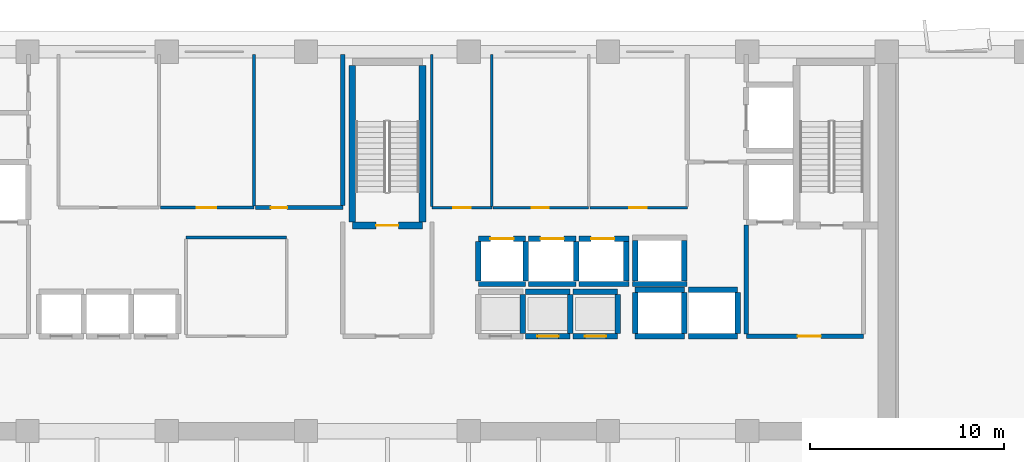
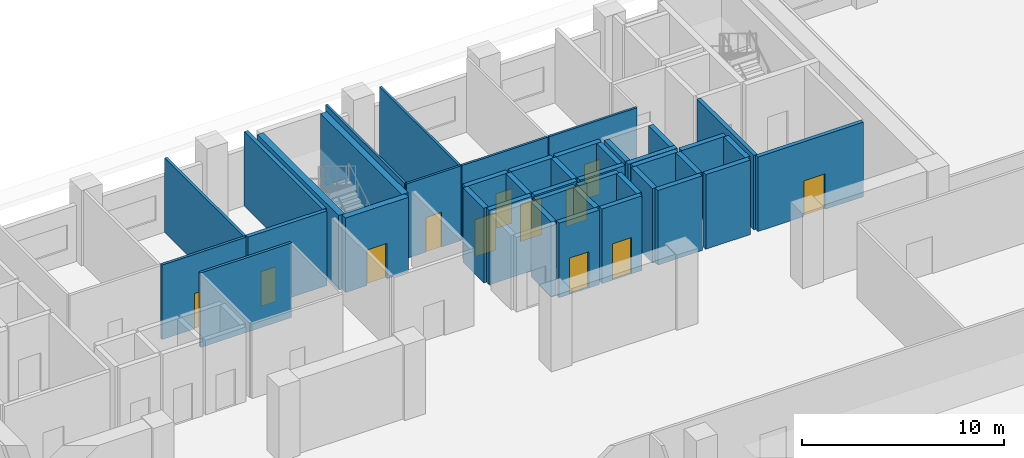
# One storey, part 30 of 37: 42 walls, 12 doors, 12 openings.
"""IFC4 building model written with IfcOpenShell, lengths in metres."""

from ifc_helpers import new_model, si_unit, direction, frame, frame_2d, origin, place, context, subcontext, project, spatial, rectangle, extrude, material, layer, layer_set, type_object, element, fill, save


model = new_model("IFC4")

# Units and contexts
model_context = context("Model", 3, precision=1e-05, world=origin(), true_north=direction((0.0, 1.0)))
body_context = subcontext(model_context, "Body", "Model", "MODEL_VIEW")
ifc_project = project(units=[si_unit("LENGTHUNIT", "METRE"), si_unit("AREAUNIT", "SQUARE_METRE"), si_unit("VOLUMEUNIT", "CUBIC_METRE"), si_unit("PLANEANGLEUNIT", "RADIAN"), si_unit("MASSUNIT", "GRAM", prefix="KILO")], contexts=[model_context])

# Site, building, storey
site_placement = place(None, origin())
site = spatial("IfcSite", under=ifc_project, at=site_placement, CompositionType="ELEMENT")
building_placement = place(site_placement, origin())
building = spatial("IfcBuilding", under=site, at=building_placement, Name="Kaelvorn Grand Hotel", CompositionType="ELEMENT")
storey_placement = place(building_placement, frame((0.0, 0.0, 130.550048828125)))
storey = spatial("IfcBuildingStorey", under=building, at=storey_placement, Name="L31", CompositionType="ELEMENT", Elevation=130.550048828125)

# Wall, opening, door
ifc_material_1 = material(Name="Moisture-Resistant Tile & Stud Board")
ifc_layer_1 = layer(ifc_material_1, 0.125)
ifc_layer_set_1 = layer_set([ifc_layer_1], Name="Moisture-Resistant Tile & Stud Board")
wall_type_1 = type_object("IfcWallType", Name="WL-PART-125-WET", PredefinedType="PARTITIONING", material=ifc_layer_set_1)
wall_1_placement = place(storey_placement, frame((44.300048828125, 40.949951171875, 0.0), z_axis=(0.0, 0.0, 1.0), x_axis=(1.0, 0.0, 0.0)))
wall_1 = element("IfcWall", 1, at=wall_1_placement, inside=storey, type_object=wall_type_1, Name="L31 Accessible WC S Partition", PredefinedType="PARTITIONING", context=body_context, shape_type="SweptSolid", body=[
    extrude(rectangle(XDim=3.099853515625, YDim=0.125, at=frame_2d((1.5498046875, 0.0))), origin(), (0.0, 0.0, 1.0), 4.52001953125),
])
opening_1_placement = place(wall_1_placement, frame((1.10009765625, 0.0, 0.0)))
opening_1 = element("IfcOpeningElement", 2, at=opening_1_placement, cuts=wall_1, Name="Opening DI4", PredefinedType="OPENING", context=body_context, shape_type="SweptSolid", body=[
    extrude(rectangle(XDim=0.89990234375, YDim=2.10009765625, at=frame_2d((0.449951171875, 1.050048828125))), frame((0.0, 0.072509765625, 0.0), z_axis=(0.0, -1.0, 0.0), x_axis=(1.0, 0.0, 0.0)), (0.0, 0.0, 1.0), 0.14501953125),
])
ifc_material_2 = material(Name="Timber Veneer Leaf", Category="wood")
door_type_1 = type_object("IfcDoorType", Name="DR-INT-BATH-900x2100", OperationType="NOTDEFINED", PredefinedType="DOOR", material=ifc_material_2)
door_1_placement = place(opening_1_placement, origin())
door_1 = element("IfcDoor", 3, at=door_1_placement, inside=storey, type_object=door_type_1, Name="L31 Accessible WC Door", OperationType="SINGLE_SWING_RIGHT", OverallHeight=2.10009765625, OverallWidth=0.89990234375, PredefinedType="DOOR", context=body_context, shape_type="SweptSolid", body=[
    extrude(rectangle(XDim=0.89990234375, YDim=2.10009765625, at=frame_2d((0.449951171875, 1.050048828125))), frame((0.0, 0.02490234375, 0.0), z_axis=(0.0, -1.0, 0.0), x_axis=(1.0, 0.0, 0.0)), (0.0, 0.0, 1.0), 0.050048828125),
])
fill(opening_1, door_1)

# Walls
for number, where, z_axis, x_axis, name in (
    (4, (44.300048828125, 41.017578125, 0.0), (0.0, 0.0, 1.0), (0.0, 1.0, 0.0), "L31 Accessible WC W Partition"),
    (5, (47.39990234375, 41.017578125, 0.0), (0.0, 0.0, 1.0), (0.0, 1.0, 0.0), "L31 Accessible WC E Partition"),
):
    element("IfcWall", number, at=place(storey_placement, frame(where, z_axis=z_axis, x_axis=x_axis)), inside=storey, type_object=wall_type_1, Name=name, PredefinedType="PARTITIONING", context=body_context, shape_type="SweptSolid", body=[
        extrude(rectangle(XDim=7.83251953125, YDim=0.125, at=frame_2d((3.916259765625, 0.0))), origin(), (0.0, 0.0, 1.0), 4.52001953125),
    ])

# Wall, opening, door
wall_2_placement = place(storey_placement, frame((47.467529296875, 40.949951171875, 0.0), z_axis=(0.0, 0.0, 1.0), x_axis=(1.0, 0.0, 0.0)))
wall_2 = element("IfcWall", 6, at=wall_2_placement, inside=storey, type_object=wall_type_1, Name="L31 Male Staff & Guest Toilets S Partition", PredefinedType="PARTITIONING", context=body_context, shape_type="SweptSolid", body=[
    extrude(rectangle(XDim=4.932373046875, YDim=0.125, at=frame_2d((2.46630859375, 0.0))), origin(), (0.0, 0.0, 1.0), 4.52001953125),
])
opening_2_placement = place(wall_2_placement, frame((1.982421875, 0.0, 0.0)))
opening_2 = element("IfcOpeningElement", 7, at=opening_2_placement, cuts=wall_2, Name="Opening DI4", PredefinedType="OPENING", context=body_context, shape_type="SweptSolid", body=[
    extrude(rectangle(XDim=0.89990234375, YDim=2.10009765625, at=frame_2d((0.449951171875, 1.050048828125))), frame((0.0, 0.072509765625, 0.0), z_axis=(0.0, -1.0, 0.0), x_axis=(1.0, 0.0, 0.0)), (0.0, 0.0, 1.0), 0.14501953125),
])
door_2_placement = place(opening_2_placement, origin())
door_2 = element("IfcDoor", 8, at=door_2_placement, inside=storey, type_object=door_type_1, Name="L31 Male Staff & Guest Toilets Door", OperationType="SINGLE_SWING_LEFT", OverallHeight=2.10009765625, OverallWidth=0.89990234375, PredefinedType="DOOR", context=body_context, shape_type="SweptSolid", body=[
    extrude(rectangle(XDim=0.89990234375, YDim=2.10009765625, at=frame_2d((0.449951171875, 1.050048828125))), frame((0.0, 0.02490234375, 0.0), z_axis=(0.0, -1.0, 0.0), x_axis=(1.0, 0.0, 0.0)), (0.0, 0.0, 1.0), 0.050048828125),
])
fill(opening_2, door_2)

wall_3_placement = place(storey_placement, frame((52.467529296875, 40.949951171875, 0.0), z_axis=(0.0, 0.0, 1.0), x_axis=(1.0, 0.0, 0.0)))
wall_3 = element("IfcWall", 9, at=wall_3_placement, inside=storey, type_object=wall_type_1, Name="L31 Female Staff & Guest Toilets S Partition", PredefinedType="PARTITIONING", context=body_context, shape_type="SweptSolid", body=[
    extrude(rectangle(XDim=5.032470703125, YDim=0.125, at=frame_2d((2.51611328125, 0.0))), origin(), (0.0, 0.0, 1.0), 4.52001953125),
])
opening_3_placement = place(wall_3_placement, frame((2.032470703125, 0.0, 0.0)))
opening_3 = element("IfcOpeningElement", 10, at=opening_3_placement, cuts=wall_3, Name="Opening DI4", PredefinedType="OPENING", context=body_context, shape_type="SweptSolid", body=[
    extrude(rectangle(XDim=0.89990234375, YDim=2.10009765625, at=frame_2d((0.449951171875, 1.050048828125))), frame((0.0, 0.072509765625, 0.0), z_axis=(0.0, -1.0, 0.0), x_axis=(1.0, 0.0, 0.0)), (0.0, 0.0, 1.0), 0.14501953125),
])
door_3_placement = place(opening_3_placement, origin())
door_3 = element("IfcDoor", 11, at=door_3_placement, inside=storey, type_object=door_type_1, Name="L31 Female Staff & Guest Toilets Door", OperationType="SINGLE_SWING_RIGHT", OverallHeight=2.10009765625, OverallWidth=0.89990234375, PredefinedType="DOOR", context=body_context, shape_type="SweptSolid", body=[
    extrude(rectangle(XDim=0.89990234375, YDim=2.10009765625, at=frame_2d((0.449951171875, 1.050048828125))), frame((0.0, 0.02490234375, 0.0), z_axis=(0.0, -1.0, 0.0), x_axis=(1.0, 0.0, 0.0)), (0.0, 0.0, 1.0), 0.050048828125),
])
fill(opening_3, door_3)

# Wall
ifc_material_3 = material(Name="Acoustic Gypsum & Stud Partition")
ifc_layer_2 = layer(ifc_material_3, 0.14990234375)
ifc_layer_set_2 = layer_set([ifc_layer_2], Name="Acoustic Gypsum & Stud Partition")
wall_type_2 = type_object("IfcWallType", Name="WL-PART-150-EI60", PredefinedType="PARTITIONING", material=ifc_layer_set_2)
wall_4_placement = place(storey_placement, frame((31.60009765625, 39.39990234375, 0.0), z_axis=(0.0, 0.0, 1.0), x_axis=(1.0, 0.0, 0.0)))
element("IfcWall", 12, at=wall_4_placement, inside=storey, type_object=wall_type_2, Name="L31 Core Telecoms & BMS Server Room N Partition", PredefinedType="PARTITIONING", context=body_context, shape_type="SweptSolid", body=[
    extrude(rectangle(XDim=5.199951171875, YDim=0.14990234375, at=frame_2d((2.60009765625, 0.0))), origin(), (0.0, 0.0, 1.0), 4.52001953125),
])

# Wall, opening, door
wall_5_placement = place(storey_placement, frame((30.280029296875, 40.949951171875, 0.0), z_axis=(0.0, 0.0, 1.0), x_axis=(1.0, 0.0, 0.0)))
wall_5 = element("IfcWall", 13, at=wall_5_placement, inside=storey, type_object=wall_type_2, Name="L31 Room Service Servery Pantry S Partition", PredefinedType="PARTITIONING", context=body_context, shape_type="SweptSolid", body=[
    extrude(rectangle(XDim=4.820068359375, YDim=0.14990234375, at=frame_2d((2.41015625, 0.0))), origin(), (0.0, 0.0, 1.0), 4.52001953125),
])
opening_4_placement = place(wall_5_placement, frame((1.8701171875, 0.0, 0.0)))
opening_4 = element("IfcOpeningElement", 14, at=opening_4_placement, cuts=wall_5, Name="Opening DI3", PredefinedType="OPENING", context=body_context, shape_type="SweptSolid", body=[
    extrude(rectangle(XDim=1.0, YDim=2.14990234375, at=frame_2d((0.5, 1.074951171875))), frame((0.0, 0.0849609375, 0.0), z_axis=(0.0, -1.0, 0.0), x_axis=(1.0, 0.0, 0.0)), (0.0, 0.0, 1.0), 0.169921875),
])
ifc_material_4 = material(Name="Timber Veneer Fire Leaf", Category="wood")
door_type_2 = type_object("IfcDoorType", Name="DR-INT-GUEST-1000x2150", OperationType="NOTDEFINED", PredefinedType="DOOR", material=ifc_material_4)
door_4_placement = place(opening_4_placement, origin())
door_4 = element("IfcDoor", 15, at=door_4_placement, inside=storey, type_object=door_type_2, Name="L31 Room Service Servery Pantry Door", OperationType="SINGLE_SWING_RIGHT", OverallHeight=2.14990234375, OverallWidth=1.0, PredefinedType="DOOR", context=body_context, shape_type="SweptSolid", body=[
    extrude(rectangle(XDim=1.0, YDim=2.14990234375, at=frame_2d((0.5, 1.074951171875))), frame((0.0, 0.02490234375, 0.0), z_axis=(0.0, -1.0, 0.0), x_axis=(1.0, 0.0, 0.0)), (0.0, 0.0, 1.0), 0.050048828125),
])
fill(opening_4, door_4)

# Wall
wall_6_placement = place(storey_placement, frame((35.10009765625, 41.030029296875, 0.0), z_axis=(0.0, 0.0, 1.0), x_axis=(0.0, 1.0, 0.0)))
element("IfcWall", 16, at=wall_6_placement, inside=storey, type_object=wall_type_2, Name="L31 Room Service Servery Pantry E Partition", PredefinedType="PARTITIONING", context=body_context, shape_type="SweptSolid", body=[
    extrude(rectangle(XDim=7.820068359375, YDim=0.14990234375, at=frame_2d((3.91015625, 0.0))), origin(), (0.0, 0.0, 1.0), 4.52001953125),
])

# Wall, opening, door
ifc_material_5 = material(Name="Concrete C40/50", Category="concrete")
ifc_layer_3 = layer(ifc_material_5, 0.219970703125)
ifc_layer_set_3 = layer_set([ifc_layer_3], Name="Concrete C40/50")
wall_type_3 = type_object("IfcWallType", Name="WL-PART-220-EI120", PredefinedType="PARTITIONING", material=ifc_layer_set_3)
wall_7_placement = place(storey_placement, frame((60.550048828125, 34.300048828125, 0.0), z_axis=(0.0, 0.0, 1.0), x_axis=(1.0, 0.0, 0.0)))
wall_7 = element("IfcWall", 17, at=wall_7_placement, inside=storey, type_object=wall_type_3, Name="L31 Firefighting Lift Lobby 2 S Partition", PredefinedType="PARTITIONING", context=body_context, shape_type="SweptSolid", body=[
    extrude(rectangle(XDim=6.050048828125, YDim=0.219970703125, at=frame_2d((3.02490234375, 0.0))), origin(), (0.0, 0.0, 1.0), 4.52001953125),
])
opening_5_placement = place(wall_7_placement, frame((2.64990234375, 0.0, 0.0)))
opening_5 = element("IfcOpeningElement", 18, at=opening_5_placement, cuts=wall_7, Name="Opening DI2", PredefinedType="OPENING", context=body_context, shape_type="SweptSolid", body=[
    extrude(rectangle(XDim=1.199951171875, YDim=2.14990234375, at=frame_2d((0.60009765625, 1.074951171875))), frame((0.0, 0.1201171875, 0.0), z_axis=(0.0, -1.0, 0.0), x_axis=(1.0, 0.0, 0.0)), (0.0, 0.0, 1.0), 0.239990234375),
])
door_type_3 = type_object("IfcDoorType", Name="DR-INT-FFLOB-1200x2150", OperationType="NOTDEFINED", PredefinedType="DOOR", material=ifc_material_4)
door_5_placement = place(opening_5_placement, origin())
door_5 = element("IfcDoor", 19, at=door_5_placement, inside=storey, type_object=door_type_3, Name="L31 Firefighting Lift Lobby 2 Door", OperationType="SINGLE_SWING_LEFT", OverallHeight=2.14990234375, OverallWidth=1.199951171875, PredefinedType="DOOR", context=body_context, shape_type="SweptSolid", body=[
    extrude(rectangle(XDim=1.199951171875, YDim=2.14990234375, at=frame_2d((0.60009765625, 1.074951171875))), frame((0.0, 0.02490234375, 0.0), z_axis=(0.0, -1.0, 0.0), x_axis=(1.0, 0.0, 0.0)), (0.0, 0.0, 1.0), 0.050048828125),
])
fill(opening_5, door_5)

# Wall
wall_8_placement = place(storey_placement, frame((60.550048828125, 34.4150390625, 0.0), z_axis=(0.0, 0.0, 1.0), x_axis=(0.0, 1.0, 0.0)))
element("IfcWall", 20, at=wall_8_placement, inside=storey, type_object=wall_type_3, Name="L31 Firefighting Lift Lobby 2 W Partition", PredefinedType="PARTITIONING", context=body_context, shape_type="SweptSolid", body=[
    extrude(rectangle(XDim=5.639892578125, YDim=0.219970703125, at=frame_2d((2.81982421875, 0.0))), origin(), (0.0, 0.0, 1.0), 4.52001953125),
])

# Wall, opening, door
wall_9_placement = place(storey_placement, frame((35.179931640625, 40.949951171875, 0.0), z_axis=(0.0, 0.0, 1.0), x_axis=(1.0, 0.0, 0.0)))
wall_9 = element("IfcWall", 21, at=wall_9_placement, inside=storey, type_object=wall_type_3, Name="L31 Floor Electrical Switchroom S Partition", PredefinedType="PARTITIONING", context=body_context, shape_type="SweptSolid", body=[
    extrude(rectangle(XDim=4.52001953125, YDim=0.219970703125, at=frame_2d((2.260009765625, 0.0))), origin(), (0.0, 0.0, 1.0), 4.52001953125),
])
opening_6_placement = place(wall_9_placement, frame((0.794921875, 0.0, 0.0)))
opening_6 = element("IfcOpeningElement", 22, at=opening_6_placement, cuts=wall_9, Name="Opening DI7", PredefinedType="OPENING", context=body_context, shape_type="SweptSolid", body=[
    extrude(rectangle(XDim=0.85009765625, YDim=2.10009765625, at=frame_2d((0.425048828125, 1.050048828125))), frame((0.0, 0.1201171875, 0.0), z_axis=(0.0, -1.0, 0.0), x_axis=(1.0, 0.0, 0.0)), (0.0, 0.0, 1.0), 0.239990234375),
])
ifc_material_6 = material(Name="Powder-Coated Steel Leaf", Category="steel")
door_type_4 = type_object("IfcDoorType", Name="DR-INT-RISER-850x2100", OperationType="NOTDEFINED", PredefinedType="DOOR", material=ifc_material_6)
door_6_placement = place(opening_6_placement, origin())
door_6 = element("IfcDoor", 23, at=door_6_placement, inside=storey, type_object=door_type_4, Name="L31 Floor Electrical Switchroom Door", OperationType="SINGLE_SWING_LEFT", OverallHeight=2.10009765625, OverallWidth=0.85009765625, PredefinedType="DOOR", context=body_context, shape_type="SweptSolid", body=[
    extrude(rectangle(XDim=0.85009765625, YDim=2.10009765625, at=frame_2d((0.425048828125, 1.050048828125))), frame((0.0, 0.02490234375, 0.0), z_axis=(0.0, -1.0, 0.0), x_axis=(1.0, 0.0, 0.0)), (0.0, 0.0, 1.0), 0.050048828125),
])
fill(opening_6, door_6)

# Walls
wall_10_placement = place(storey_placement, frame((39.699951171875, 41.06494140625, 0.0), z_axis=(0.0, 0.0, 1.0), x_axis=(0.0, 1.0, 0.0)))
element("IfcWall", 24, at=wall_10_placement, inside=storey, type_object=wall_type_3, Name="L31 Floor Electrical Switchroom E Partition", PredefinedType="PARTITIONING", context=body_context, shape_type="SweptSolid", body=[
    extrude(rectangle(XDim=7.78515625, YDim=0.219970703125, at=frame_2d((3.892578125, 0.0))), origin(), (0.0, 0.0, 1.0), 4.52001953125),
])
ifc_material_7 = material(Name="Concrete C50/60", Category="concrete")
ifc_layer_4 = layer(ifc_material_7, 0.280029296875)
ifc_layer_set_4 = layer_set([ifc_layer_4], Name="Concrete C50/60")
wall_type_4 = type_object("IfcWallType", Name="WL-SHAFT-280-C50", PredefinedType="SHEAR", material=ifc_layer_set_4)
wall_11_placement = place(storey_placement, frame((49.0, 34.445068359375, 0.0), z_axis=(0.0, 0.0, 1.0), x_axis=(0.0, 1.0, 0.0)))
element("IfcWall", 25, at=wall_11_placement, inside=storey, type_object=wall_type_4, Name="L31 Lift PL-M1 Shaft East Wall", PredefinedType="SHEAR", context=body_context, shape_type="SweptSolid", body=[
    extrude(rectangle(XDim=2.010009765625, YDim=0.280029296875, at=frame_2d((1.0048828125, 0.0))), origin(), (0.0, 0.0, 1.0), 4.52001953125),
])

# Wall, opening, door
wall_12_placement = place(storey_placement, frame((49.14990234375, 34.300048828125, 0.0), z_axis=(0.0, 0.0, 1.0), x_axis=(1.0, 0.0, 0.0)))
wall_12 = element("IfcWall", 26, at=wall_12_placement, inside=storey, type_object=wall_type_4, Name="L31 Lift PL-M2 Shaft South Wall", PredefinedType="SHEAR", context=body_context, shape_type="SweptSolid", body=[
    extrude(rectangle(XDim=2.300048828125, YDim=0.280029296875, at=frame_2d((1.14990234375, 0.0))), origin(), (0.0, 0.0, 1.0), 4.52001953125),
])
opening_7_placement = place(wall_12_placement, frame((0.60009765625, 0.0, 0.0)))
opening_7 = element("IfcOpeningElement", 27, at=opening_7_placement, cuts=wall_12, Name="Opening LD-PL-M2", PredefinedType="OPENING", context=body_context, shape_type="SweptSolid", body=[
    extrude(rectangle(XDim=1.10009765625, YDim=2.199951171875, at=frame_2d((0.550048828125, 1.10009765625))), frame((0.0, 0.14990234375, 0.0), z_axis=(0.0, -1.0, 0.0), x_axis=(1.0, 0.0, 0.0)), (0.0, 0.0, 1.0), 0.300048828125),
])
ifc_material_8 = material(Name="Stainless Steel", Category="steel")
door_type_5 = type_object("IfcDoorType", Name="DR-LIFT-PASS-1100x2200", OperationType="DOUBLE_DOOR_SLIDING", PredefinedType="DOOR", material=ifc_material_8)
door_7_placement = place(opening_7_placement, origin())
door_7 = element("IfcDoor", 28, at=door_7_placement, inside=storey, type_object=door_type_5, Name="L31 Lift PL-M2 Sliding Landing Door LD-PL-M2", OperationType="DOUBLE_DOOR_SLIDING", OverallHeight=2.199951171875, OverallWidth=1.10009765625, PredefinedType="DOOR", context=body_context, shape_type="SweptSolid", body=[
    extrude(rectangle(XDim=1.10009765625, YDim=2.199951171875, at=frame_2d((0.550048828125, 1.10009765625))), frame((0.0, 0.02490234375, 0.0), z_axis=(0.0, -1.0, 0.0), x_axis=(1.0, 0.0, 0.0)), (0.0, 0.0, 1.0), 0.050048828125),
])
fill(opening_7, door_7)

# Walls
wall_13_placement = place(storey_placement, frame((49.14990234375, 36.60009765625, 0.0), z_axis=(0.0, 0.0, 1.0), x_axis=(1.0, 0.0, 0.0)))
element("IfcWall", 29, at=wall_13_placement, inside=storey, type_object=wall_type_4, Name="L31 Lift PL-M2 Shaft North Wall", PredefinedType="SHEAR", context=body_context, shape_type="SweptSolid", body=[
    extrude(rectangle(XDim=2.300048828125, YDim=0.280029296875, at=frame_2d((1.14990234375, 0.0))), origin(), (0.0, 0.0, 1.0), 4.52001953125),
])
wall_14_placement = place(storey_placement, frame((51.449951171875, 34.445068359375, 0.0), z_axis=(0.0, 0.0, 1.0), x_axis=(0.0, 1.0, 0.0)))
element("IfcWall", 30, at=wall_14_placement, inside=storey, type_object=wall_type_4, Name="L31 Lift PL-M2 Shaft East Wall", PredefinedType="SHEAR", context=body_context, shape_type="SweptSolid", body=[
    extrude(rectangle(XDim=2.010009765625, YDim=0.280029296875, at=frame_2d((1.0048828125, 0.0))), origin(), (0.0, 0.0, 1.0), 4.52001953125),
])

# Wall, opening, door
wall_15_placement = place(storey_placement, frame((51.60009765625, 34.300048828125, 0.0), z_axis=(0.0, 0.0, 1.0), x_axis=(1.0, 0.0, 0.0)))
wall_15 = element("IfcWall", 31, at=wall_15_placement, inside=storey, type_object=wall_type_4, Name="L31 Lift PL-M3 Shaft South Wall", PredefinedType="SHEAR", context=body_context, shape_type="SweptSolid", body=[
    extrude(rectangle(XDim=2.2998046875, YDim=0.280029296875, at=frame_2d((1.14990234375, 0.0))), origin(), (0.0, 0.0, 1.0), 4.52001953125),
])
opening_8_placement = place(wall_15_placement, frame((0.60009765625, 0.0, 0.0)))
opening_8 = element("IfcOpeningElement", 32, at=opening_8_placement, cuts=wall_15, Name="Opening LD-PL-M3", PredefinedType="OPENING", context=body_context, shape_type="SweptSolid", body=[
    extrude(rectangle(XDim=1.10009765625, YDim=2.199951171875, at=frame_2d((0.550048828125, 1.10009765625))), frame((0.0, 0.14990234375, 0.0), z_axis=(0.0, -1.0, 0.0), x_axis=(1.0, 0.0, 0.0)), (0.0, 0.0, 1.0), 0.300048828125),
])
door_8_placement = place(opening_8_placement, origin())
door_8 = element("IfcDoor", 33, at=door_8_placement, inside=storey, type_object=door_type_5, Name="L31 Lift PL-M3 Sliding Landing Door LD-PL-M3", OperationType="DOUBLE_DOOR_SLIDING", OverallHeight=2.199951171875, OverallWidth=1.10009765625, PredefinedType="DOOR", context=body_context, shape_type="SweptSolid", body=[
    extrude(rectangle(XDim=1.10009765625, YDim=2.199951171875, at=frame_2d((0.550048828125, 1.10009765625))), frame((0.0, 0.02490234375, 0.0), z_axis=(0.0, -1.0, 0.0), x_axis=(1.0, 0.0, 0.0)), (0.0, 0.0, 1.0), 0.050048828125),
])
fill(opening_8, door_8)

# Walls
wall_16_placement = place(storey_placement, frame((51.60009765625, 36.60009765625, 0.0), z_axis=(0.0, 0.0, 1.0), x_axis=(1.0, 0.0, 0.0)))
element("IfcWall", 34, at=wall_16_placement, inside=storey, type_object=wall_type_4, Name="L31 Lift PL-M3 Shaft North Wall", PredefinedType="SHEAR", context=body_context, shape_type="SweptSolid", body=[
    extrude(rectangle(XDim=2.2998046875, YDim=0.280029296875, at=frame_2d((1.14990234375, 0.0))), origin(), (0.0, 0.0, 1.0), 4.52001953125),
])
wall_17_placement = place(storey_placement, frame((53.89990234375, 34.445068359375, 0.0), z_axis=(0.0, 0.0, 1.0), x_axis=(0.0, 1.0, 0.0)))
element("IfcWall", 35, at=wall_17_placement, inside=storey, type_object=wall_type_4, Name="L31 Lift PL-M3 Shaft East Wall", PredefinedType="SHEAR", context=body_context, shape_type="SweptSolid", body=[
    extrude(rectangle(XDim=2.010009765625, YDim=0.280029296875, at=frame_2d((1.0048828125, 0.0))), origin(), (0.0, 0.0, 1.0), 4.52001953125),
])
wall_18_placement = place(storey_placement, frame((46.699951171875, 37.0, 0.0), z_axis=(0.0, 0.0, 1.0), x_axis=(1.0, 0.0, 0.0)))
element("IfcWall", 36, at=wall_18_placement, inside=storey, type_object=wall_type_4, Name="L31 Lift SL-1 Shaft South Wall", PredefinedType="SHEAR", context=body_context, shape_type="SweptSolid", body=[
    extrude(rectangle(XDim=2.449951171875, YDim=0.280029296875, at=frame_2d((1.22509765625, 0.0))), origin(), (0.0, 0.0, 1.0), 4.52001953125),
])

# Wall, opening, door
wall_19_placement = place(storey_placement, frame((46.699951171875, 39.35009765625, 0.0), z_axis=(0.0, 0.0, 1.0), x_axis=(1.0, 0.0, 0.0)))
wall_19 = element("IfcWall", 37, at=wall_19_placement, inside=storey, type_object=wall_type_4, Name="L31 Lift SL-1 Shaft North Wall", PredefinedType="SHEAR", context=body_context, shape_type="SweptSolid", body=[
    extrude(rectangle(XDim=2.449951171875, YDim=0.280029296875, at=frame_2d((1.22509765625, 0.0))), origin(), (0.0, 0.0, 1.0), 4.52001953125),
])
opening_9_placement = place(wall_19_placement, frame((0.625, 0.0, 0.0)))
opening_9 = element("IfcOpeningElement", 38, at=opening_9_placement, cuts=wall_19, Name="Opening LD-SL-1", PredefinedType="OPENING", context=body_context, shape_type="SweptSolid", body=[
    extrude(rectangle(XDim=1.199951171875, YDim=2.25, at=frame_2d((0.60009765625, 1.125))), frame((0.0, 0.14990234375, 0.0), z_axis=(0.0, -1.0, 0.0), x_axis=(1.0, 0.0, 0.0)), (0.0, 0.0, 1.0), 0.300048828125),
])
door_type_6 = type_object("IfcDoorType", Name="DR-LIFT-SHUT-1200x2250", OperationType="DOUBLE_DOOR_SLIDING", PredefinedType="DOOR", material=ifc_material_8)
door_9_placement = place(opening_9_placement, origin())
door_9 = element("IfcDoor", 39, at=door_9_placement, inside=storey, type_object=door_type_6, Name="L31 Lift SL-1 Sliding Landing Door LD-SL-1", OperationType="DOUBLE_DOOR_SLIDING", OverallHeight=2.25, OverallWidth=1.199951171875, PredefinedType="DOOR", context=body_context, shape_type="SweptSolid", body=[
    extrude(rectangle(XDim=1.199951171875, YDim=2.25, at=frame_2d((0.60009765625, 1.125))), frame((0.0, 0.02490234375, 0.0), z_axis=(0.0, -1.0, 0.0), x_axis=(1.0, 0.0, 0.0)), (0.0, 0.0, 1.0), 0.050048828125),
])
fill(opening_9, door_9)

# Walls
for number, where, z_axis, x_axis, name in (
    (40, (46.699951171875, 37.14501953125, 0.0), (0.0, 0.0, 1.0), (0.0, 1.0, 0.0), "L31 Lift SL-1 Shaft West Wall"),
    (41, (49.14990234375, 37.14501953125, 0.0), (0.0, 0.0, 1.0), (0.0, 1.0, 0.0), "L31 Lift SL-1 Shaft East Wall"),
):
    element("IfcWall", number, at=place(storey_placement, frame(where, z_axis=z_axis, x_axis=x_axis)), inside=storey, type_object=wall_type_4, Name=name, PredefinedType="SHEAR", context=body_context, shape_type="SweptSolid", body=[
        extrude(rectangle(XDim=2.06005859375, YDim=0.280029296875, at=frame_2d((1.030029296875, 0.0))), origin(), (0.0, 0.0, 1.0), 4.52001953125),
    ])
wall_20_placement = place(storey_placement, frame((49.300048828125, 37.0, 0.0), z_axis=(0.0, 0.0, 1.0), x_axis=(1.0, 0.0, 0.0)))
element("IfcWall", 42, at=wall_20_placement, inside=storey, type_object=wall_type_4, Name="L31 Lift SL-2 Shaft South Wall", PredefinedType="SHEAR", context=body_context, shape_type="SweptSolid", body=[
    extrude(rectangle(XDim=2.449951171875, YDim=0.280029296875, at=frame_2d((1.22509765625, 0.0))), origin(), (0.0, 0.0, 1.0), 4.52001953125),
])

# Wall, opening, door
wall_21_placement = place(storey_placement, frame((49.300048828125, 39.35009765625, 0.0), z_axis=(0.0, 0.0, 1.0), x_axis=(1.0, 0.0, 0.0)))
wall_21 = element("IfcWall", 43, at=wall_21_placement, inside=storey, type_object=wall_type_4, Name="L31 Lift SL-2 Shaft North Wall", PredefinedType="SHEAR", context=body_context, shape_type="SweptSolid", body=[
    extrude(rectangle(XDim=2.449951171875, YDim=0.280029296875, at=frame_2d((1.22509765625, 0.0))), origin(), (0.0, 0.0, 1.0), 4.52001953125),
])
opening_10_placement = place(wall_21_placement, frame((0.625, 0.0, 0.0)))
opening_10 = element("IfcOpeningElement", 44, at=opening_10_placement, cuts=wall_21, Name="Opening LD-SL-2", PredefinedType="OPENING", context=body_context, shape_type="SweptSolid", body=[
    extrude(rectangle(XDim=1.199951171875, YDim=2.25, at=frame_2d((0.60009765625, 1.125))), frame((0.0, 0.14990234375, 0.0), z_axis=(0.0, -1.0, 0.0), x_axis=(1.0, 0.0, 0.0)), (0.0, 0.0, 1.0), 0.300048828125),
])
door_10_placement = place(opening_10_placement, origin())
door_10 = element("IfcDoor", 45, at=door_10_placement, inside=storey, type_object=door_type_6, Name="L31 Lift SL-2 Sliding Landing Door LD-SL-2", OperationType="DOUBLE_DOOR_SLIDING", OverallHeight=2.25, OverallWidth=1.199951171875, PredefinedType="DOOR", context=body_context, shape_type="SweptSolid", body=[
    extrude(rectangle(XDim=1.199951171875, YDim=2.25, at=frame_2d((0.60009765625, 1.125))), frame((0.0, 0.02490234375, 0.0), z_axis=(0.0, -1.0, 0.0), x_axis=(1.0, 0.0, 0.0)), (0.0, 0.0, 1.0), 0.050048828125),
])
fill(opening_10, door_10)

# Walls
wall_22_placement = place(storey_placement, frame((51.75, 37.14501953125, 0.0), z_axis=(0.0, 0.0, 1.0), x_axis=(0.0, 1.0, 0.0)))
element("IfcWall", 46, at=wall_22_placement, inside=storey, type_object=wall_type_4, Name="L31 Lift SL-2 Shaft East Wall", PredefinedType="SHEAR", context=body_context, shape_type="SweptSolid", body=[
    extrude(rectangle(XDim=2.06005859375, YDim=0.280029296875, at=frame_2d((1.030029296875, 0.0))), origin(), (0.0, 0.0, 1.0), 4.52001953125),
])
wall_23_placement = place(storey_placement, frame((51.89990234375, 37.0, 0.0), z_axis=(0.0, 0.0, 1.0), x_axis=(1.0, 0.0, 0.0)))
element("IfcWall", 47, at=wall_23_placement, inside=storey, type_object=wall_type_4, Name="L31 Lift SL-3 Shaft South Wall", PredefinedType="SHEAR", context=body_context, shape_type="SweptSolid", body=[
    extrude(rectangle(XDim=2.590087890625, YDim=0.280029296875, at=frame_2d((1.294921875, 0.0))), origin(), (0.0, 0.0, 1.0), 4.52001953125),
])

# Wall, opening, door
wall_24_placement = place(storey_placement, frame((51.89990234375, 39.35009765625, 0.0), z_axis=(0.0, 0.0, 1.0), x_axis=(1.0, 0.0, 0.0)))
wall_24 = element("IfcWall", 48, at=wall_24_placement, inside=storey, type_object=wall_type_4, Name="L31 Lift SL-3 Shaft North Wall", PredefinedType="SHEAR", context=body_context, shape_type="SweptSolid", body=[
    extrude(rectangle(XDim=2.590087890625, YDim=0.280029296875, at=frame_2d((1.294921875, 0.0))), origin(), (0.0, 0.0, 1.0), 4.52001953125),
])
opening_11_placement = place(wall_24_placement, frame((0.625, 0.0, 0.0)))
opening_11 = element("IfcOpeningElement", 49, at=opening_11_placement, cuts=wall_24, Name="Opening LD-SL-3", PredefinedType="OPENING", context=body_context, shape_type="SweptSolid", body=[
    extrude(rectangle(XDim=1.199951171875, YDim=2.25, at=frame_2d((0.60009765625, 1.125))), frame((0.0, 0.14990234375, 0.0), z_axis=(0.0, -1.0, 0.0), x_axis=(1.0, 0.0, 0.0)), (0.0, 0.0, 1.0), 0.300048828125),
])
door_11_placement = place(opening_11_placement, origin())
door_11 = element("IfcDoor", 50, at=door_11_placement, inside=storey, type_object=door_type_6, Name="L31 Lift SL-3 Sliding Landing Door LD-SL-3", OperationType="DOUBLE_DOOR_SLIDING", OverallHeight=2.25, OverallWidth=1.199951171875, PredefinedType="DOOR", context=body_context, shape_type="SweptSolid", body=[
    extrude(rectangle(XDim=1.199951171875, YDim=2.25, at=frame_2d((0.60009765625, 1.125))), frame((0.0, 0.02490234375, 0.0), z_axis=(0.0, -1.0, 0.0), x_axis=(1.0, 0.0, 0.0)), (0.0, 0.0, 1.0), 0.050048828125),
])
fill(opening_11, door_11)

# Walls
wall_25_placement = place(storey_placement, frame((54.35009765625, 37.14501953125, 0.0), z_axis=(0.0, 0.0, 1.0), x_axis=(0.0, 1.0, 0.0)))
element("IfcWall", 51, at=wall_25_placement, inside=storey, type_object=wall_type_4, Name="L31 Lift SL-3 Shaft East Wall", PredefinedType="SHEAR", context=body_context, shape_type="SweptSolid", body=[
    extrude(rectangle(XDim=2.06005859375, YDim=0.280029296875, at=frame_2d((1.030029296875, 0.0))), origin(), (0.0, 0.0, 1.0), 4.52001953125),
])
for number, where, z_axis, x_axis, name in (
    (52, (54.800048828125, 34.300048828125, 0.0), (0.0, 0.0, 1.0), (1.0, 0.0, 0.0), "L31 Lift OL-1 Shaft South Wall"),
    (53, (54.800048828125, 36.699951171875, 0.0), (0.0, 0.0, 1.0), (1.0, 0.0, 0.0), "L31 Lift OL-1 Shaft North Wall"),
):
    element("IfcWall", number, at=place(storey_placement, frame(where, z_axis=z_axis, x_axis=x_axis)), inside=storey, type_object=wall_type_4, Name=name, PredefinedType="SHEAR", context=body_context, shape_type="SweptSolid", body=[
        extrude(rectangle(XDim=2.550048828125, YDim=0.280029296875, at=frame_2d((1.27490234375, 0.0))), origin(), (0.0, 0.0, 1.0), 4.52001953125),
    ])
for number, where, z_axis, x_axis, name in (
    (54, (54.800048828125, 34.445068359375, 0.0), (0.0, 0.0, 1.0), (0.0, 1.0, 0.0), "L31 Lift OL-1 Shaft West Wall"),
    (55, (57.35009765625, 34.445068359375, 0.0), (0.0, 0.0, 1.0), (0.0, 1.0, 0.0), "L31 Lift OL-1 Shaft East Wall"),
):
    element("IfcWall", number, at=place(storey_placement, frame(where, z_axis=z_axis, x_axis=x_axis)), inside=storey, type_object=wall_type_4, Name=name, PredefinedType="SHEAR", context=body_context, shape_type="SweptSolid", body=[
        extrude(rectangle(XDim=2.10986328125, YDim=0.280029296875, at=frame_2d((1.054931640625, 0.0))), origin(), (0.0, 0.0, 1.0), 4.52001953125),
    ])
for number, where, z_axis, x_axis, name in (
    (56, (57.550048828125, 34.300048828125, 0.0), (0.0, 0.0, 1.0), (1.0, 0.0, 0.0), "L31 Lift OL-2 Shaft South Wall"),
    (57, (57.550048828125, 36.699951171875, 0.0), (0.0, 0.0, 1.0), (1.0, 0.0, 0.0), "L31 Lift OL-2 Shaft North Wall"),
):
    element("IfcWall", number, at=place(storey_placement, frame(where, z_axis=z_axis, x_axis=x_axis)), inside=storey, type_object=wall_type_4, Name=name, PredefinedType="SHEAR", context=body_context, shape_type="SweptSolid", body=[
        extrude(rectangle(XDim=2.550048828125, YDim=0.280029296875, at=frame_2d((1.27490234375, 0.0))), origin(), (0.0, 0.0, 1.0), 4.52001953125),
    ])
wall_26_placement = place(storey_placement, frame((60.10009765625, 34.445068359375, 0.0), z_axis=(0.0, 0.0, 1.0), x_axis=(0.0, 1.0, 0.0)))
element("IfcWall", 58, at=wall_26_placement, inside=storey, type_object=wall_type_4, Name="L31 Lift OL-2 Shaft East Wall", PredefinedType="SHEAR", context=body_context, shape_type="SweptSolid", body=[
    extrude(rectangle(XDim=2.10986328125, YDim=0.280029296875, at=frame_2d((1.054931640625, 0.0))), origin(), (0.0, 0.0, 1.0), 4.52001953125),
])
wall_27_placement = place(storey_placement, frame((54.659912109375, 37.0, 0.0), z_axis=(0.0, 0.0, 1.0), x_axis=(1.0, 0.0, 0.0)))
element("IfcWall", 59, at=wall_27_placement, inside=storey, type_object=wall_type_4, Name="L31 Lift OL-3 Shaft South Wall", PredefinedType="SHEAR", context=body_context, shape_type="SweptSolid", body=[
    extrude(rectangle(XDim=2.830078125, YDim=0.280029296875, at=frame_2d((1.4150390625, 0.0))), origin(), (0.0, 0.0, 1.0), 4.52001953125),
])
for number, where, z_axis, x_axis, name in (
    (60, (54.800048828125, 37.14501953125, 0.0), (0.0, 0.0, 1.0), (0.0, 1.0, 0.0), "L31 Lift OL-3 Shaft West Wall"),
    (61, (57.35009765625, 37.14501953125, 0.0), (0.0, 0.0, 1.0), (0.0, 1.0, 0.0), "L31 Lift OL-3 Shaft East Wall"),
):
    element("IfcWall", number, at=place(storey_placement, frame(where, z_axis=z_axis, x_axis=x_axis)), inside=storey, type_object=wall_type_4, Name=name, PredefinedType="SHEAR", context=body_context, shape_type="SweptSolid", body=[
        extrude(rectangle(XDim=2.10986328125, YDim=0.280029296875, at=frame_2d((1.054931640625, 0.0))), origin(), (0.0, 0.0, 1.0), 4.52001953125),
    ])

# Wall, opening, door
ifc_material_9 = material(Name="Concrete C60/75", Category="concrete")
ifc_layer_5 = layer(ifc_material_9, 0.35009765625)
ifc_layer_set_5 = layer_set([ifc_layer_5], Name="Concrete C60/75")
wall_type_5 = type_object("IfcWallType", Name="WL-SHAFT-350-C60", PredefinedType="SHEAR", material=ifc_layer_set_5)
wall_28_placement = place(storey_placement, frame((40.18505859375, 40.02490234375, 0.0), z_axis=(0.0, 0.0, 1.0), x_axis=(1.0, 0.0, 0.0)))
wall_28 = element("IfcWall", 62, at=wall_28_placement, inside=storey, type_object=wall_type_5, Name="L31 ST2 Stair Shaft South Wall", PredefinedType="SHEAR", context=body_context, shape_type="SweptSolid", body=[
    extrude(rectangle(XDim=3.6298828125, YDim=0.35009765625, at=frame_2d((1.81494140625, 0.0))), origin(), (0.0, 0.0, 1.0), 4.52001953125),
])
opening_12_placement = place(wall_28_placement, frame((1.239990234375, 0.0, 0.0)))
opening_12 = element("IfcOpeningElement", 63, at=opening_12_placement, cuts=wall_28, Name="Opening DI1", PredefinedType="OPENING", context=body_context, shape_type="SweptSolid", body=[
    extrude(rectangle(XDim=1.14990234375, YDim=2.14990234375, at=frame_2d((0.574951171875, 1.074951171875))), frame((0.0, 0.18505859375, 0.0), z_axis=(0.0, -1.0, 0.0), x_axis=(1.0, 0.0, 0.0)), (0.0, 0.0, 1.0), 0.3701171875),
])
door_type_7 = type_object("IfcDoorType", Name="DR-INT-STAIR-1150x2150", OperationType="NOTDEFINED", PredefinedType="DOOR", material=ifc_material_4)
door_12_placement = place(opening_12_placement, origin())
door_12 = element("IfcDoor", 64, at=door_12_placement, inside=storey, type_object=door_type_7, Name="L31 ST2 Exit Stair Fire Door", OperationType="SINGLE_SWING_RIGHT", OverallHeight=2.14990234375, OverallWidth=1.14990234375, PredefinedType="DOOR", context=body_context, shape_type="SweptSolid", body=[
    extrude(rectangle(XDim=1.14990234375, YDim=2.14990234375, at=frame_2d((0.574951171875, 1.074951171875))), frame((0.0, 0.02490234375, 0.0), z_axis=(0.0, -1.0, 0.0), x_axis=(1.0, 0.0, 0.0)), (0.0, 0.0, 1.0), 0.050048828125),
])
fill(opening_12, door_12)

# Walls
for number, where, z_axis, x_axis, name in (
    (65, (40.18505859375, 40.205078125, 0.0), (0.0, 0.0, 1.0), (0.0, 1.0, 0.0), "L31 ST2 Stair Shaft West Wall"),
    (66, (43.81494140625, 40.205078125, 0.0), (0.0, 0.0, 1.0), (0.0, 1.0, 0.0), "L31 ST2 Stair Shaft East Wall"),
):
    element("IfcWall", number, at=place(storey_placement, frame(where, z_axis=z_axis, x_axis=x_axis)), inside=storey, type_object=wall_type_5, Name=name, PredefinedType="SHEAR", context=body_context, shape_type="SweptSolid", body=[
        extrude(rectangle(XDim=8.08984375, YDim=0.35009765625, at=frame_2d((4.044921875, 0.0))), origin(), (0.0, 0.0, 1.0), 4.52001953125),
    ])

save(model, "model.ifc")
